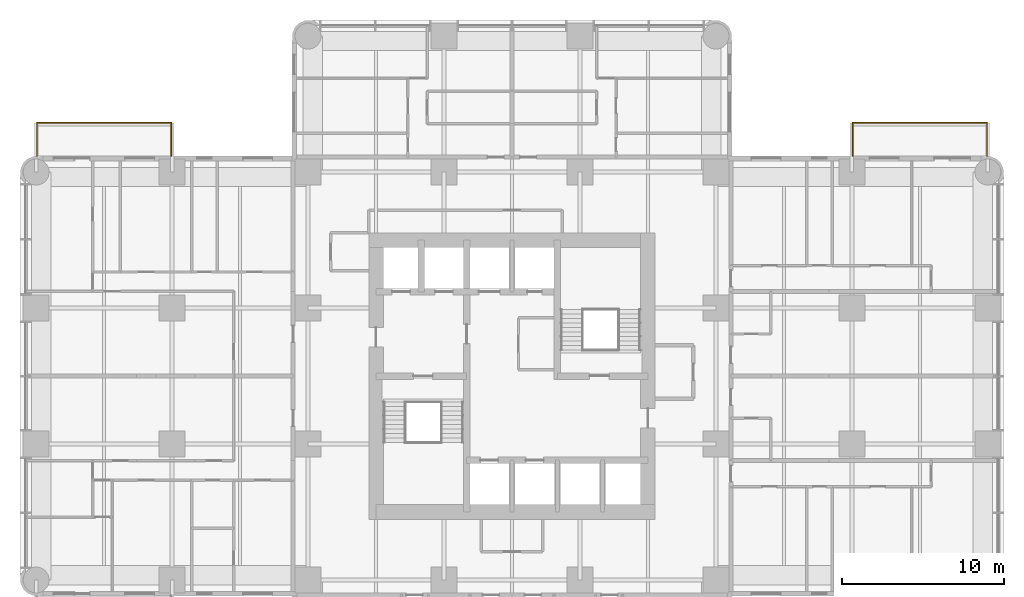
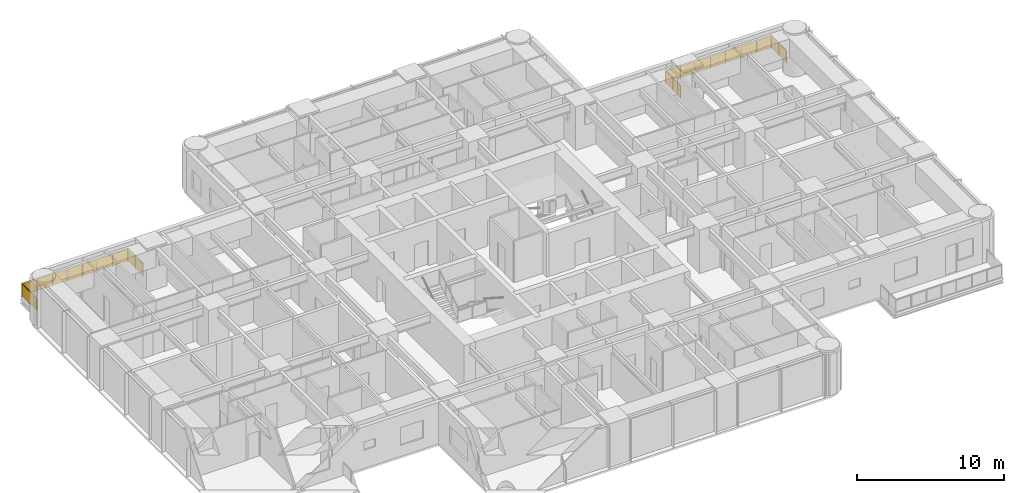
# One storey, part 14 of 14: 2 railings.
"""IFC4 building model written with IfcOpenShell, lengths in metres."""

from ifc_helpers import new_model, si_unit, direction, frame, origin, origin_2d, place, context, subcontext, project, spatial, polyline, circle, outline, extrude, material, constituent, constituent_set, type_object, element, save


model = new_model("IFC4")

# Units and contexts
model_context = context("Model", 3, precision=1e-05, world=origin(), true_north=direction((0.0, 1.0)))
body_context = subcontext(model_context, "Body", "Model", "MODEL_VIEW")
ifc_project = project(units=[si_unit("LENGTHUNIT", "METRE"), si_unit("AREAUNIT", "SQUARE_METRE"), si_unit("VOLUMEUNIT", "CUBIC_METRE"), si_unit("PLANEANGLEUNIT", "RADIAN"), si_unit("MASSUNIT", "GRAM", prefix="KILO")], contexts=[model_context])

# Site, building, storey
site_placement = place(None, origin())
site = spatial("IfcSite", under=ifc_project, at=site_placement, CompositionType="ELEMENT")
building_placement = place(site_placement, origin())
building = spatial("IfcBuilding", under=site, at=building_placement, Name="Torre Alcanfor", CompositionType="ELEMENT")
storey_placement = place(building_placement, frame((0.0, 0.0, 159.300048828125)))
storey = spatial("IfcBuildingStorey", under=building, at=storey_placement, Name="L41", CompositionType="ELEMENT", Elevation=159.300048828125)

# Railings
ifc_material_1 = material(Name="Laminated safety glass", Category="glass")
ifc_constituent_1 = constituent(ifc_material_1, Name="Infill")
ifc_material_2 = material(Name="Stainless steel ASTM A554 Grade MT 316L tube", Category="steel")
ifc_constituent_2 = constituent(ifc_material_2, Name="Posts and rail")
ifc_constituent_set = constituent_set(constituents=[ifc_constituent_1, ifc_constituent_2], Name="Balcony guard glass 1100")
railing_type = type_object("IfcRailingType", Name="Balcony guard glass 1100", PredefinedType="BALUSTRADE", material=ifc_constituent_set)
railing_1_placement = place(storey_placement, frame((50.449951171875, 43.0, 0.0)))
element("IfcRailing", 1, at=railing_1_placement, inside=storey, type_object=railing_type, Name="Balcony guard L41-E1", PredefinedType="BALUSTRADE", context=body_context, shape_type="SweptSolid", body=[
    extrude(circle(Radius=0.02392578125, at=origin_2d()), frame((0.0, 0.0, 1.076171875), z_axis=(0.0, 1.0, 0.0), x_axis=(-1.0, 0.0, 0.0)), (0.0, 0.0, 1.0), 2.050048828125),
    extrude(circle(Radius=0.02392578125, at=origin_2d()), frame((0.0, 2.050048828125, 1.076171875), z_axis=(1.0, 0.0, 0.0), x_axis=(0.0, 1.0, 0.0)), (0.0, 0.0, 1.0), 8.300048828125),
    extrude(circle(Radius=0.02392578125, at=origin_2d()), frame((8.300048828125, 2.050048828125, 1.076171875), z_axis=(0.0, -1.0, 0.0), x_axis=(1.0, 0.0, 0.0)), (0.0, 0.0, 1.0), 2.050048828125),
    extrude(circle(Radius=0.02099609375, at=origin_2d()), origin(), (0.0, 0.0, 1.0), 1.052001953125),
    extrude(circle(Radius=0.02099609375, at=origin_2d()), frame((0.0, 1.02490234375, 0.0)), (0.0, 0.0, 1.0), 1.052001953125),
    extrude(circle(Radius=0.02099609375, at=origin_2d()), frame((0.0, 2.050048828125, 0.0)), (0.0, 0.0, 1.0), 1.052001953125),
    extrude(circle(Radius=0.02099609375, at=origin_2d()), frame((1.185791015625, 2.050048828125, 0.0)), (0.0, 0.0, 1.0), 1.052001953125),
    extrude(circle(Radius=0.02099609375, at=origin_2d()), frame((2.371337890625, 2.050048828125, 0.0)), (0.0, 0.0, 1.0), 1.052001953125),
    extrude(circle(Radius=0.02099609375, at=origin_2d()), frame((3.55712890625, 2.050048828125, 0.0)), (0.0, 0.0, 1.0), 1.052001953125),
    extrude(circle(Radius=0.02099609375, at=origin_2d()), frame((4.742919921875, 2.050048828125, 0.0)), (0.0, 0.0, 1.0), 1.052001953125),
    extrude(circle(Radius=0.02099609375, at=origin_2d()), frame((5.9287109375, 2.050048828125, 0.0)), (0.0, 0.0, 1.0), 1.052001953125),
    extrude(circle(Radius=0.02099609375, at=origin_2d()), frame((7.1142578125, 2.050048828125, 0.0)), (0.0, 0.0, 1.0), 1.052001953125),
    extrude(circle(Radius=0.02099609375, at=origin_2d()), frame((8.300048828125, 2.050048828125, 0.0)), (0.0, 0.0, 1.0), 1.052001953125),
    extrude(circle(Radius=0.02099609375, at=origin_2d()), frame((8.300048828125, 1.02490234375, 0.0)), (0.0, 0.0, 1.0), 1.052001953125),
    extrude(circle(Radius=0.02099609375, at=origin_2d()), frame((8.300048828125, 0.0, 0.0)), (0.0, 0.0, 1.0), 1.052001953125),
    extrude(outline(polyline([(0.041015625, 0.050048828125), (0.984130859375, 0.050048828125), (0.984130859375, 1.001953125), (0.041015625, 1.001953125), (0.041015625, 0.050048828125)])), frame((-0.005859375, 0.0, 0.0), z_axis=(1.0, 0.0, 0.0), x_axis=(0.0, 1.0, 0.0)), (0.0, 0.0, 1.0), 0.011962890625),
    extrude(outline(polyline([(1.06591796875, 0.050048828125), (2.009033203125, 0.050048828125), (2.009033203125, 1.001953125), (1.06591796875, 1.001953125), (1.06591796875, 0.050048828125)])), frame((-0.005859375, 0.0, 0.0), z_axis=(1.0, 0.0, 0.0), x_axis=(0.0, 1.0, 0.0)), (0.0, 0.0, 1.0), 0.011962890625),
    extrude(outline(polyline([(0.041015625, 0.050048828125), (1.144775390625, 0.050048828125), (1.144775390625, 1.001953125), (0.041015625, 1.001953125), (0.041015625, 0.050048828125)])), frame((0.0, 2.05615234375, 0.0), z_axis=(0.0, -1.0, 0.0), x_axis=(1.0, 0.0, 0.0)), (0.0, 0.0, 1.0), 0.011962890625),
    extrude(outline(polyline([(1.226806640625, 0.050048828125), (2.330322265625, 0.050048828125), (2.330322265625, 1.001953125), (1.226806640625, 1.001953125), (1.226806640625, 0.050048828125)])), frame((0.0, 2.05615234375, 0.0), z_axis=(0.0, -1.0, 0.0), x_axis=(1.0, 0.0, 0.0)), (0.0, 0.0, 1.0), 0.011962890625),
    extrude(outline(polyline([(2.412353515625, 0.050048828125), (3.51611328125, 0.050048828125), (3.51611328125, 1.001953125), (2.412353515625, 1.001953125), (2.412353515625, 0.050048828125)])), frame((0.0, 2.05615234375, 0.0), z_axis=(0.0, -1.0, 0.0), x_axis=(1.0, 0.0, 0.0)), (0.0, 0.0, 1.0), 0.011962890625),
    extrude(outline(polyline([(3.59814453125, 0.050048828125), (4.701904296875, 0.050048828125), (4.701904296875, 1.001953125), (3.59814453125, 1.001953125), (3.59814453125, 0.050048828125)])), frame((0.0, 2.05615234375, 0.0), z_axis=(0.0, -1.0, 0.0), x_axis=(1.0, 0.0, 0.0)), (0.0, 0.0, 1.0), 0.011962890625),
    extrude(outline(polyline([(4.783935546875, 0.050048828125), (5.8876953125, 0.050048828125), (5.8876953125, 1.001953125), (4.783935546875, 1.001953125), (4.783935546875, 0.050048828125)])), frame((0.0, 2.05615234375, 0.0), z_axis=(0.0, -1.0, 0.0), x_axis=(1.0, 0.0, 0.0)), (0.0, 0.0, 1.0), 0.011962890625),
    extrude(outline(polyline([(5.9697265625, 0.050048828125), (7.0732421875, 0.050048828125), (7.0732421875, 1.001953125), (5.9697265625, 1.001953125), (5.9697265625, 0.050048828125)])), frame((0.0, 2.05615234375, 0.0), z_axis=(0.0, -1.0, 0.0), x_axis=(1.0, 0.0, 0.0)), (0.0, 0.0, 1.0), 0.011962890625),
    extrude(outline(polyline([(7.1552734375, 0.050048828125), (8.259033203125, 0.050048828125), (8.259033203125, 1.001953125), (7.1552734375, 1.001953125), (7.1552734375, 0.050048828125)])), frame((0.0, 2.05615234375, 0.0), z_axis=(0.0, -1.0, 0.0), x_axis=(1.0, 0.0, 0.0)), (0.0, 0.0, 1.0), 0.011962890625),
    extrude(outline(polyline([(0.041015625, 0.050048828125), (0.984130859375, 0.050048828125), (0.984130859375, 1.001953125), (0.041015625, 1.001953125), (0.041015625, 0.050048828125)])), frame((8.30615234375, 2.050048828125, 0.0), z_axis=(-1.0, 0.0, 0.0), x_axis=(0.0, -1.0, 0.0)), (0.0, 0.0, 1.0), 0.011962890625),
    extrude(outline(polyline([(1.06591796875, 0.050048828125), (2.009033203125, 0.050048828125), (2.009033203125, 1.001953125), (1.06591796875, 1.001953125), (1.06591796875, 0.050048828125)])), frame((8.30615234375, 2.050048828125, 0.0), z_axis=(-1.0, 0.0, 0.0), x_axis=(0.0, -1.0, 0.0)), (0.0, 0.0, 1.0), 0.011962890625),
])
railing_2_placement = place(storey_placement, frame((8.35009765625, 43.0, 0.0)))
element("IfcRailing", 2, at=railing_2_placement, inside=storey, type_object=railing_type, Name="Balcony guard L41-W2", PredefinedType="BALUSTRADE", context=body_context, shape_type="SweptSolid", body=[
    extrude(circle(Radius=0.02392578125, at=origin_2d()), frame((0.0, 0.0, 1.076171875), z_axis=(0.0, 1.0, 0.0), x_axis=(-1.0, 0.0, 0.0)), (0.0, 0.0, 1.0), 2.050048828125),
    extrude(circle(Radius=0.02392578125, at=origin_2d()), frame((0.0, 2.050048828125, 1.076171875), z_axis=(-1.0, 0.0, 0.0), x_axis=(0.0, -1.0, 0.0)), (0.0, 0.0, 1.0), 8.300048828125),
    extrude(circle(Radius=0.02392578125, at=origin_2d()), frame((-8.300048828125, 2.050048828125, 1.076171875), z_axis=(0.0, -1.0, 0.0), x_axis=(1.0, 0.0, 0.0)), (0.0, 0.0, 1.0), 2.050048828125),
    extrude(circle(Radius=0.02099609375, at=origin_2d()), origin(), (0.0, 0.0, 1.0), 1.052001953125),
    extrude(circle(Radius=0.02099609375, at=origin_2d()), frame((0.0, 1.02490234375, 0.0)), (0.0, 0.0, 1.0), 1.052001953125),
    extrude(circle(Radius=0.02099609375, at=origin_2d()), frame((0.0, 2.050048828125, 0.0)), (0.0, 0.0, 1.0), 1.052001953125),
    extrude(circle(Radius=0.02099609375, at=origin_2d()), frame((-1.185791015625, 2.050048828125, 0.0)), (0.0, 0.0, 1.0), 1.052001953125),
    extrude(circle(Radius=0.02099609375, at=origin_2d()), frame((-2.371337890625, 2.050048828125, 0.0)), (0.0, 0.0, 1.0), 1.052001953125),
    extrude(circle(Radius=0.02099609375, at=origin_2d()), frame((-3.55712890625, 2.050048828125, 0.0)), (0.0, 0.0, 1.0), 1.052001953125),
    extrude(circle(Radius=0.02099609375, at=origin_2d()), frame((-4.742919921875, 2.050048828125, 0.0)), (0.0, 0.0, 1.0), 1.052001953125),
    extrude(circle(Radius=0.02099609375, at=origin_2d()), frame((-5.9287109375, 2.050048828125, 0.0)), (0.0, 0.0, 1.0), 1.052001953125),
    extrude(circle(Radius=0.02099609375, at=origin_2d()), frame((-7.1142578125, 2.050048828125, 0.0)), (0.0, 0.0, 1.0), 1.052001953125),
    extrude(circle(Radius=0.02099609375, at=origin_2d()), frame((-8.300048828125, 2.050048828125, 0.0)), (0.0, 0.0, 1.0), 1.052001953125),
    extrude(circle(Radius=0.02099609375, at=origin_2d()), frame((-8.300048828125, 1.02490234375, 0.0)), (0.0, 0.0, 1.0), 1.052001953125),
    extrude(circle(Radius=0.02099609375, at=origin_2d()), frame((-8.300048828125, 0.0, 0.0)), (0.0, 0.0, 1.0), 1.052001953125),
    extrude(outline(polyline([(0.041015625, 0.050048828125), (0.984130859375, 0.050048828125), (0.984130859375, 1.001953125), (0.041015625, 1.001953125), (0.041015625, 0.050048828125)])), frame((-0.005859375, 0.0, 0.0), z_axis=(1.0, 0.0, 0.0), x_axis=(0.0, 1.0, 0.0)), (0.0, 0.0, 1.0), 0.011962890625),
    extrude(outline(polyline([(1.06591796875, 0.050048828125), (2.009033203125, 0.050048828125), (2.009033203125, 1.001953125), (1.06591796875, 1.001953125), (1.06591796875, 0.050048828125)])), frame((-0.005859375, 0.0, 0.0), z_axis=(1.0, 0.0, 0.0), x_axis=(0.0, 1.0, 0.0)), (0.0, 0.0, 1.0), 0.011962890625),
    extrude(outline(polyline([(0.041015625, 0.050048828125), (1.144775390625, 0.050048828125), (1.144775390625, 1.001953125), (0.041015625, 1.001953125), (0.041015625, 0.050048828125)])), frame((0.0, 2.0439453125, 0.0), z_axis=(0.0, 1.0, 0.0), x_axis=(-1.0, 0.0, 0.0)), (0.0, 0.0, 1.0), 0.011962890625),
    extrude(outline(polyline([(1.226806640625, 0.050048828125), (2.330322265625, 0.050048828125), (2.330322265625, 1.001953125), (1.226806640625, 1.001953125), (1.226806640625, 0.050048828125)])), frame((0.0, 2.0439453125, 0.0), z_axis=(0.0, 1.0, 0.0), x_axis=(-1.0, 0.0, 0.0)), (0.0, 0.0, 1.0), 0.011962890625),
    extrude(outline(polyline([(2.412353515625, 0.050048828125), (3.51611328125, 0.050048828125), (3.51611328125, 1.001953125), (2.412353515625, 1.001953125), (2.412353515625, 0.050048828125)])), frame((0.0, 2.0439453125, 0.0), z_axis=(0.0, 1.0, 0.0), x_axis=(-1.0, 0.0, 0.0)), (0.0, 0.0, 1.0), 0.011962890625),
    extrude(outline(polyline([(3.59814453125, 0.050048828125), (4.701904296875, 0.050048828125), (4.701904296875, 1.001953125), (3.59814453125, 1.001953125), (3.59814453125, 0.050048828125)])), frame((0.0, 2.0439453125, 0.0), z_axis=(0.0, 1.0, 0.0), x_axis=(-1.0, 0.0, 0.0)), (0.0, 0.0, 1.0), 0.011962890625),
    extrude(outline(polyline([(4.783935546875, 0.050048828125), (5.8876953125, 0.050048828125), (5.8876953125, 1.001953125), (4.783935546875, 1.001953125), (4.783935546875, 0.050048828125)])), frame((0.0, 2.0439453125, 0.0), z_axis=(0.0, 1.0, 0.0), x_axis=(-1.0, 0.0, 0.0)), (0.0, 0.0, 1.0), 0.011962890625),
    extrude(outline(polyline([(5.9697265625, 0.050048828125), (7.0732421875, 0.050048828125), (7.0732421875, 1.001953125), (5.9697265625, 1.001953125), (5.9697265625, 0.050048828125)])), frame((0.0, 2.0439453125, 0.0), z_axis=(0.0, 1.0, 0.0), x_axis=(-1.0, 0.0, 0.0)), (0.0, 0.0, 1.0), 0.011962890625),
    extrude(outline(polyline([(7.1552734375, 0.050048828125), (8.259033203125, 0.050048828125), (8.259033203125, 1.001953125), (7.1552734375, 1.001953125), (7.1552734375, 0.050048828125)])), frame((0.0, 2.0439453125, 0.0), z_axis=(0.0, 1.0, 0.0), x_axis=(-1.0, 0.0, 0.0)), (0.0, 0.0, 1.0), 0.011962890625),
    extrude(outline(polyline([(0.041015625, 0.050048828125), (0.984130859375, 0.050048828125), (0.984130859375, 1.001953125), (0.041015625, 1.001953125), (0.041015625, 0.050048828125)])), frame((-8.2939453125, 2.050048828125, 0.0), z_axis=(-1.0, 0.0, 0.0), x_axis=(0.0, -1.0, 0.0)), (0.0, 0.0, 1.0), 0.011962890625),
    extrude(outline(polyline([(1.06591796875, 0.050048828125), (2.009033203125, 0.050048828125), (2.009033203125, 1.001953125), (1.06591796875, 1.001953125), (1.06591796875, 0.050048828125)])), frame((-8.2939453125, 2.050048828125, 0.0), z_axis=(-1.0, 0.0, 0.0), x_axis=(0.0, -1.0, 0.0)), (0.0, 0.0, 1.0), 0.011962890625),
])

save(model, "model.ifc")
